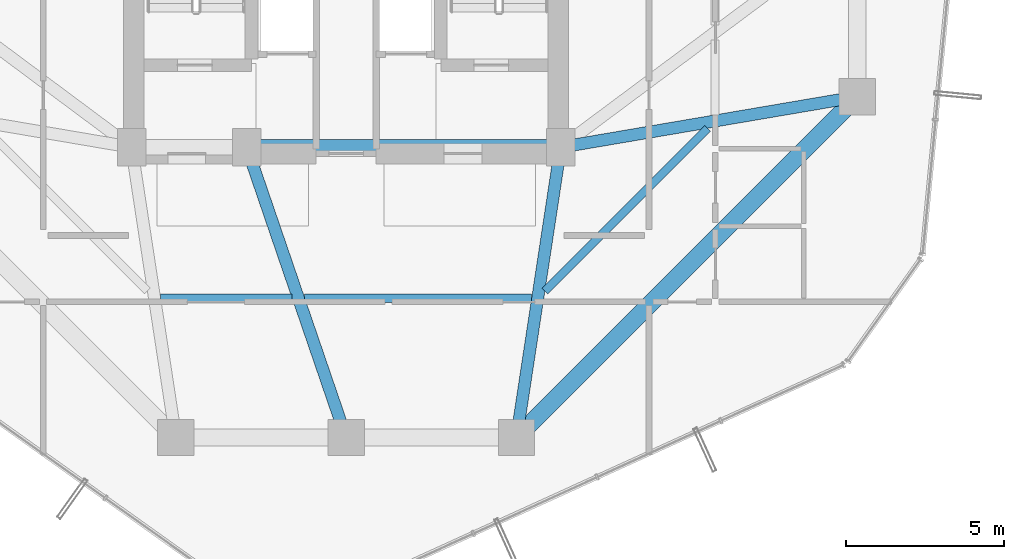
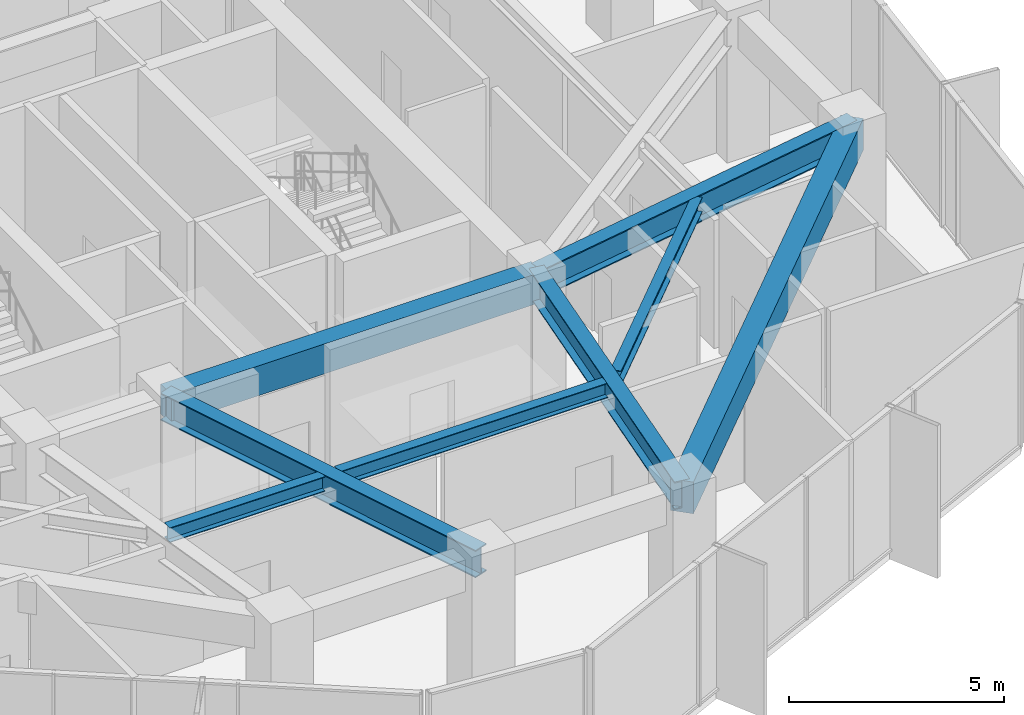
# One storey, part 7 of 25: 8 beams.
"""IFC4 building model written with IfcOpenShell, lengths in metres."""

from ifc_helpers import new_model, si_unit, direction, frame, origin, origin_2d, place, context, subcontext, project, spatial, rectangle, i_section, extrude, material, material_profile, profile_set, type_object, element, save


model = new_model("IFC4")

# Units and contexts
model_context = context("Model", 3, precision=1e-05, world=origin(), true_north=direction((0.0, 1.0)))
body_context = subcontext(model_context, "Body", "Model", "MODEL_VIEW")
ifc_project = project(units=[si_unit("LENGTHUNIT", "METRE"), si_unit("AREAUNIT", "SQUARE_METRE"), si_unit("VOLUMEUNIT", "CUBIC_METRE"), si_unit("PLANEANGLEUNIT", "RADIAN"), si_unit("MASSUNIT", "GRAM", prefix="KILO")], contexts=[model_context])

# Site, building, storey
site_placement = place(None, origin())
site = spatial("IfcSite", under=ifc_project, at=site_placement, CompositionType="ELEMENT")
building_placement = place(site_placement, origin())
building = spatial("IfcBuilding", under=site, at=building_placement, Name="Veraguas Prism Commons", CompositionType="ELEMENT")
storey_placement = place(building_placement, frame((0.0, 0.0, 108.949951171875)))
storey = spatial("IfcBuildingStorey", under=building, at=storey_placement, Name="L30", CompositionType="ELEMENT", Elevation=108.949951171875)

# Beams
ifc_material_1 = material(Name="Steel ASTM A992 Grade 50", Category="steel")
ifc_material_profile_1 = material_profile(ifc_material_1, i_section(OverallWidth=0.382080078125, OverallDepth=0.779052734375, WebThickness=0.01806640625, FlangeThickness=0.030029296875, at=origin_2d()), Name="W760X284")
ifc_profile_set_1 = profile_set([ifc_material_profile_1], Name="Steel ASTM A992 Grade 50")
beam_type_1 = type_object("IfcBeamType", Name="Assembly Primary Girder W760x284", PredefinedType="BEAM", material=ifc_profile_set_1)
beam_1_placement = place(storey_placement, frame((40.199951171875, 18.60009765625, 3.66064453125), z_axis=(-0.985819187151, -0.1678109956, 0.0), x_axis=(0.1678109956, -0.985819187151, 0.0)))
element("IfcBeam", 1, at=beam_1_placement, inside=storey, type_object=beam_type_1, Name="Radial Floor Girder L30-RD01", PredefinedType="BEAM", context=body_context, shape_type="SweptSolid", body=[
    extrude(i_section(OverallWidth=0.382080078125, OverallDepth=0.779052734375, WebThickness=0.01806640625, FlangeThickness=0.030029296875, at=origin_2d()), origin(), (0.0, 0.0, 1.0), 9.53515625),
])
beam_2_placement = place(storey_placement, frame((24.0, 7.800048828125, 3.66064453125), z_axis=(-0.323922482989, 0.946083624747, 0.0), x_axis=(-0.946083624747, -0.323922482989, 0.0)))
element("IfcBeam", 2, at=beam_2_placement, inside=storey, type_object=beam_type_1, Name="Radial Floor Girder L30-RD11", PredefinedType="BEAM", context=body_context, shape_type="SweptSolid", body=[
    extrude(i_section(OverallWidth=0.382080078125, OverallDepth=0.779052734375, WebThickness=0.01806640625, FlangeThickness=0.030029296875, at=origin_2d()), origin(), (0.0, 0.0, 1.0), 9.724365234375),
])
beam_3_placement = place(storey_placement, frame((29.39990234375, 7.800048828125, 3.66064453125), z_axis=(0.150458162136, 0.98861637729, 0.0), x_axis=(-0.98861637729, 0.150458162136, 0.0)))
element("IfcBeam", 3, at=beam_3_placement, inside=storey, type_object=beam_type_1, Name="Radial Floor Girder L30-RD12", PredefinedType="BEAM", context=body_context, shape_type="SweptSolid", body=[
    extrude(i_section(OverallWidth=0.382080078125, OverallDepth=0.779052734375, WebThickness=0.01806640625, FlangeThickness=0.030029296875, at=origin_2d()), origin(), (0.0, 0.0, 1.0), 9.305908203125),
])
ifc_material_2 = material(Name="Concrete C50/60", Category="concrete")
ifc_material_profile_2 = material_profile(ifc_material_2, rectangle(XDim=0.5, YDim=0.85009765625, at=origin_2d()), Name="RC500X850")
ifc_profile_set_2 = profile_set([ifc_material_profile_2], Name="Concrete C50/60")
beam_type_2 = type_object("IfcBeamType", Name="Core Coupling Beam RC 500x850", PredefinedType="BEAM", material=ifc_profile_set_2)
beam_4_placement = place(storey_placement, frame((20.85009765625, 17.0, 3.625), z_axis=(1.0, 0.0, 0.0), x_axis=(0.0, 1.0, 0.0)))
element("IfcBeam", 4, at=beam_4_placement, inside=storey, type_object=beam_type_2, Name="Core Coupling Beam L30-CRS2", PredefinedType="BEAM", context=body_context, shape_type="SweptSolid", body=[
    extrude(rectangle(XDim=0.5, YDim=0.85009765625, at=origin_2d()), origin(), (0.0, 0.0, 1.0), 9.949951171875),
])
ifc_material_profile_3 = material_profile(ifc_material_1, i_section(OverallWidth=0.260986328125, OverallDepth=0.419921875, WebThickness=0.01171875, FlangeThickness=0.019287109375, at=origin_2d()), Name="W410X114")
ifc_profile_set_3 = profile_set([ifc_material_profile_3], Name="Steel ASTM A992 Grade 50")
beam_type_3 = type_object("IfcBeamType", Name="Lower Floor Joist W410x114", PredefinedType="JOIST", material=ifc_profile_set_3)
beam_5_placement = place(storey_placement, frame((18.119140625, 12.216064453125, 3.840087890625), z_axis=(1.0, 0.0, 0.0), x_axis=(0.0, 1.0, 0.0)))
element("IfcBeam", 5, at=beam_5_placement, inside=storey, type_object=beam_type_3, Name="Composite Floor Joist L30-JS10", PredefinedType="JOIST", context=body_context, shape_type="SweptSolid", body=[
    extrude(i_section(OverallWidth=0.260986328125, OverallDepth=0.419921875, WebThickness=0.01171875, FlangeThickness=0.019287109375, at=origin_2d()), origin(), (0.0, 0.0, 1.0), 4.1689453125),
])
beam_6_placement = place(storey_placement, frame((22.687744140625, 12.216064453125, 3.840087890625), z_axis=(1.0, 0.0, 0.0), x_axis=(0.0, 1.0, 0.0)))
element("IfcBeam", 6, at=beam_6_placement, inside=storey, type_object=beam_type_3, Name="Composite Floor Joist L30-JS11", PredefinedType="JOIST", context=body_context, shape_type="SweptSolid", body=[
    extrude(i_section(OverallWidth=0.260986328125, OverallDepth=0.419921875, WebThickness=0.01171875, FlangeThickness=0.019287109375, at=origin_2d()), origin(), (0.0, 0.0, 1.0), 7.193115234375),
])
beam_7_placement = place(storey_placement, frame((30.297607421875, 12.44140625, 3.840087890625), z_axis=(0.707090051465, 0.707123510512, 0.0), x_axis=(-0.707123510512, 0.707090051465, 0.0)))
element("IfcBeam", 7, at=beam_7_placement, inside=storey, type_object=beam_type_3, Name="Composite Floor Joist L30-JS12", PredefinedType="JOIST", context=body_context, shape_type="SweptSolid", body=[
    extrude(i_section(OverallWidth=0.260986328125, OverallDepth=0.419921875, WebThickness=0.01171875, FlangeThickness=0.019287109375, at=origin_2d()), origin(), (0.0, 0.0, 1.0), 7.296630859375),
])
ifc_material_profile_4 = material_profile(ifc_material_2, rectangle(XDim=0.550048828125, YDim=0.89990234375, at=origin_2d()), Name="RC550X900")
ifc_profile_set_4 = profile_set([ifc_material_profile_4], Name="Concrete C50/60")
beam_type_4 = type_object("IfcBeamType", Name="Perimeter Spandrel Lower RC 550x900", PredefinedType="SPANDREL", material=ifc_profile_set_4)
beam_8_placement = place(storey_placement, frame((29.39990234375, 7.800048828125, 3.60009765625), z_axis=(0.707106781187, 0.707106781187, 0.0), x_axis=(-0.707106781187, 0.707106781187, 0.0)))
element("IfcBeam", 8, at=beam_8_placement, inside=storey, type_object=beam_type_4, Name="Perimeter Spandrel Beam L30-SP12", PredefinedType="SPANDREL", context=body_context, shape_type="SweptSolid", body=[
    extrude(rectangle(XDim=0.550048828125, YDim=0.89990234375, at=origin_2d()), origin(), (0.0, 0.0, 1.0), 15.273681640625),
])

save(model, "model.ifc")
